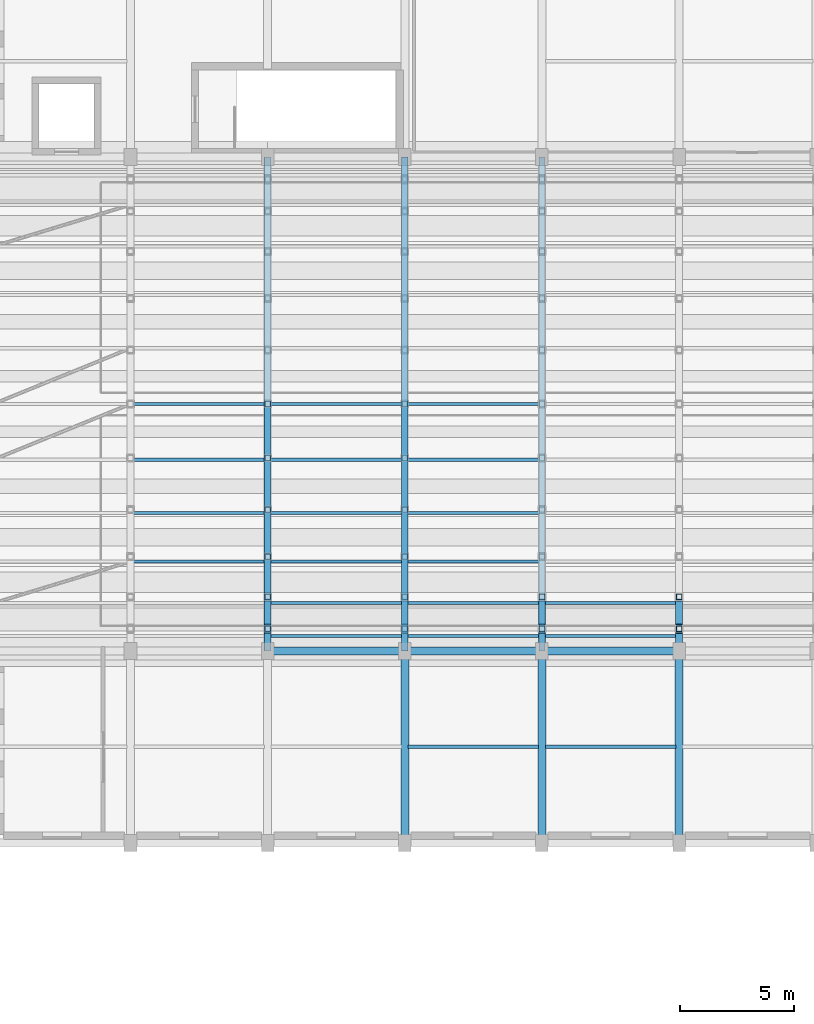
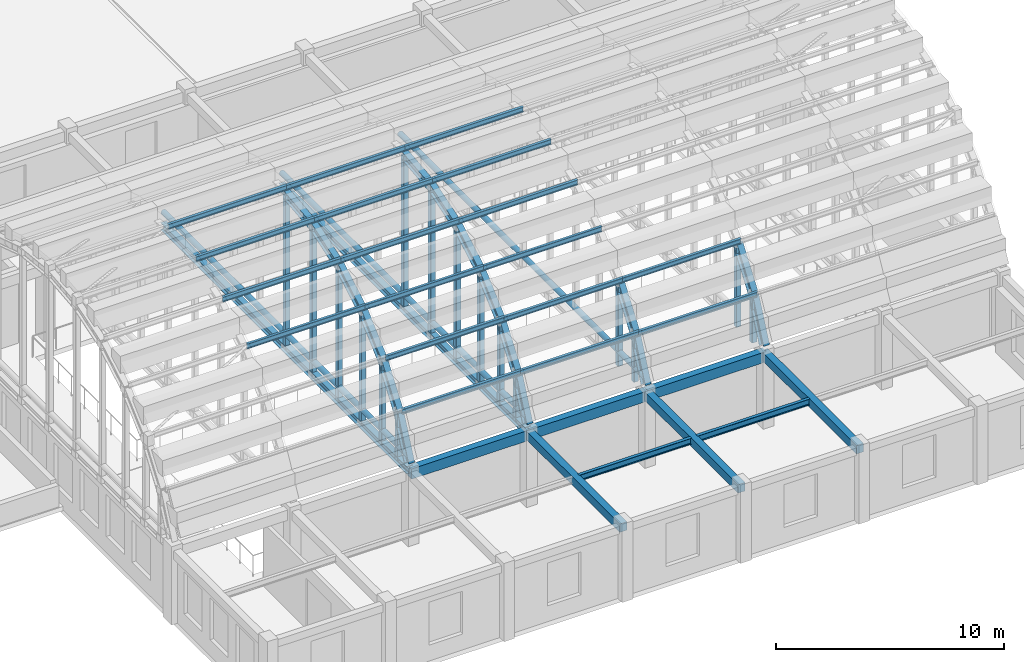
# One storey, part 7 of 46: 37 members, 26 beams.
"""IFC4 building model written with IfcOpenShell, lengths in metres."""

from ifc_helpers import new_model, si_unit, direction, frame, origin, origin_2d, place, context, subcontext, project, spatial, rectangle, hollow_rectangle, hollow_circle, i_section, extrude, material, material_profile, profile_set, type_object, element, save


model = new_model("IFC4")

# Units and contexts
model_context = context("Model", 3, precision=1e-05, world=origin(), true_north=direction((0.0, 1.0)))
body_context = subcontext(model_context, "Body", "Model", "MODEL_VIEW")
ifc_project = project(units=[si_unit("LENGTHUNIT", "METRE"), si_unit("AREAUNIT", "SQUARE_METRE"), si_unit("VOLUMEUNIT", "CUBIC_METRE"), si_unit("PLANEANGLEUNIT", "RADIAN"), si_unit("MASSUNIT", "GRAM", prefix="KILO")], contexts=[model_context])

# Site, building, storey
site_placement = place(None, origin())
site = spatial("IfcSite", under=ifc_project, at=site_placement, CompositionType="ELEMENT")
building_placement = place(site_placement, origin())
building = spatial("IfcBuilding", under=site, at=building_placement, Name="Tarnavel Promenade Courthouse", CompositionType="ELEMENT")
storey_placement = place(building_placement, frame((0.0, 0.0, 14.39990234375)))
storey = spatial("IfcBuildingStorey", under=building, at=storey_placement, Name="L04", CompositionType="ELEMENT", Elevation=14.39990234375)

# Beams
ifc_material_1 = material(Name="Concrete C40/50", Category="concrete")
ifc_material_profile_1 = material_profile(ifc_material_1, rectangle(XDim=0.35009765625, YDim=0.449951171875, at=origin_2d()), Name="RC 350x450")
ifc_profile_set_1 = profile_set([ifc_material_profile_1], Name="Concrete C40/50")
beam_type_1 = type_object("IfcBeamType", Name="Concrete C40/50 BM-RC-350x450 (RC 350x450)", PredefinedType="BEAM", material=ifc_profile_set_1)
for number, where, z_axis, x_axis, name in (
    (1, (138.0, 28.800048828125, 3.72998046875), (0.0, 1.0, 0.0), (-1.0, 0.0, 0.0), "L04 Transverse Girder 2123"),
    (2, (144.0, 28.800048828125, 3.72998046875), (0.0, 1.0, 0.0), (-1.0, 0.0, 0.0), "L04 Transverse Girder 2125"),
    (3, (150.0, 28.800048828125, 3.72998046875), (0.0, 1.0, 0.0), (-1.0, 0.0, 0.0), "L04 Transverse Girder 2127"),
):
    element("IfcBeam", number, at=place(storey_placement, frame(where, z_axis=z_axis, x_axis=x_axis)), inside=storey, type_object=beam_type_1, Name=name, PredefinedType="BEAM", context=body_context, shape_type="SweptSolid", body=[
        extrude(rectangle(XDim=0.35009765625, YDim=0.449951171875, at=origin_2d()), origin(), (0.0, 0.0, 1.0), 8.39990234375),
    ])
ifc_material_profile_2 = material_profile(ifc_material_1, rectangle(XDim=0.35009765625, YDim=0.550048828125, at=origin_2d()), Name="RC 350x550")
ifc_profile_set_2 = profile_set([ifc_material_profile_2], Name="Concrete C40/50")
beam_type_2 = type_object("IfcBeamType", Name="Concrete C40/50 BM-RC-350x550 (RC 350x550)", PredefinedType="BEAM", material=ifc_profile_set_2)
for number, where, z_axis, x_axis, name in (
    (4, (132.0, 37.199951171875, 3.68017578125), (1.0, 0.0, 0.0), (0.0, 1.0, 0.0), "L04 Primary Longitudinal Beam 1993"),
    (5, (138.0, 37.199951171875, 3.68017578125), (1.0, 0.0, 0.0), (0.0, 1.0, 0.0), "L04 Primary Longitudinal Beam 1994"),
    (6, (144.0, 37.199951171875, 3.68017578125), (1.0, 0.0, 0.0), (0.0, 1.0, 0.0), "L04 Primary Longitudinal Beam 1995"),
):
    element("IfcBeam", number, at=place(storey_placement, frame(where, z_axis=z_axis, x_axis=x_axis)), inside=storey, type_object=beam_type_2, Name=name, PredefinedType="BEAM", context=body_context, shape_type="SweptSolid", body=[
        extrude(rectangle(XDim=0.35009765625, YDim=0.550048828125, at=origin_2d()), origin(), (0.0, 0.0, 1.0), 6.0),
    ])
ifc_material_2 = material(Name="Steel S355J2", Category="steel")
ifc_material_profile_3 = material_profile(ifc_material_2, i_section(OverallWidth=0.300048828125, OverallDepth=0.449951171875, WebThickness=0.013916015625, FlangeThickness=0.02587890625, FilletRadius=0.027099609375, at=origin_2d()), Name="HEB 450")
ifc_profile_set_3 = profile_set([ifc_material_profile_3], Name="Steel S355J2")
beam_type_3 = type_object("IfcBeamType", Name="Steel S355J2 BM-AR-HEB450 (HEB 450)", PredefinedType="T_BEAM", material=ifc_profile_set_3)
for number, where, z_axis, x_axis, name in (
    (7, (132.0, 37.199951171875, 4.2001953125), (0.0, 0.406453266448, 0.91367157239), (-1.0, 0.0, 0.0), "V1 Barrel Vault Arch Rib 03 Chord 01"),
    (8, (132.0, 38.1650390625, 6.36962890625), (0.0, 0.587523453946, 0.809207137304), (-1.0, 0.0, 0.0), "V1 Barrel Vault Arch Rib 03 Chord 02"),
    (9, (132.0, 39.56005859375, 8.291015625), (0.0, 0.742956629711, 0.669339559842), (-1.0, 0.0, 0.0), "V1 Barrel Vault Arch Rib 03 Chord 03"),
    (10, (132.0, 41.32421875, 9.88037109375), (0.0, 0.86595611672, 0.500119989518), (-1.0, 0.0, 0.0), "V1 Barrel Vault Arch Rib 03 Chord 04"),
    (11, (132.0, 43.38037109375, 11.06787109375), (0.0, 0.951041624123, 0.309062824012), (-1.0, 0.0, 0.0), "V1 Barrel Vault Arch Rib 03 Chord 05"),
):
    element("IfcBeam", number, at=place(storey_placement, frame(where, z_axis=z_axis, x_axis=x_axis)), inside=storey, type_object=beam_type_3, Name=name, PredefinedType="T_BEAM", context=body_context, shape_type="SweptSolid", body=[
        extrude(i_section(OverallWidth=0.300048828125, OverallDepth=0.449951171875, WebThickness=0.013916015625, FlangeThickness=0.02587890625, FilletRadius=0.027099609375, at=origin_2d()), origin(), (0.0, 0.0, 1.0), 2.37451171875),
    ])
beam_1_placement = place(storey_placement, frame((132.0, 45.638671875, 11.8017578125), z_axis=(0.0, 0.994517278414, 0.104572381322), x_axis=(-1.0, 0.0, 0.0)))
element("IfcBeam", 12, at=beam_1_placement, inside=storey, type_object=beam_type_3, Name="V1 Barrel Vault Arch Rib 03 Chord 06", PredefinedType="T_BEAM", context=body_context, shape_type="SweptSolid", body=[
    extrude(i_section(OverallWidth=0.300048828125, OverallDepth=0.449951171875, WebThickness=0.013916015625, FlangeThickness=0.02587890625, FilletRadius=0.027099609375, at=origin_2d()), origin(), (0.0, 0.0, 1.0), 2.374267578125),
])
for number, where, z_axis, x_axis, name in (
    (13, (138.0, 37.199951171875, 4.2001953125), (0.0, 0.406453266448, 0.91367157239), (-1.0, 0.0, 0.0), "V1 Barrel Vault Arch Rib 04 Chord 01"),
    (14, (138.0, 38.1650390625, 6.36962890625), (0.0, 0.587523453946, 0.809207137304), (-1.0, 0.0, 0.0), "V1 Barrel Vault Arch Rib 04 Chord 02"),
    (15, (138.0, 39.56005859375, 8.291015625), (0.0, 0.742956629711, 0.669339559842), (-1.0, 0.0, 0.0), "V1 Barrel Vault Arch Rib 04 Chord 03"),
    (16, (138.0, 41.32421875, 9.88037109375), (0.0, 0.86595611672, 0.500119989518), (-1.0, 0.0, 0.0), "V1 Barrel Vault Arch Rib 04 Chord 04"),
    (17, (138.0, 43.38037109375, 11.06787109375), (0.0, 0.951041624123, 0.309062824012), (-1.0, 0.0, 0.0), "V1 Barrel Vault Arch Rib 04 Chord 05"),
):
    element("IfcBeam", number, at=place(storey_placement, frame(where, z_axis=z_axis, x_axis=x_axis)), inside=storey, type_object=beam_type_3, Name=name, PredefinedType="T_BEAM", context=body_context, shape_type="SweptSolid", body=[
        extrude(i_section(OverallWidth=0.300048828125, OverallDepth=0.449951171875, WebThickness=0.013916015625, FlangeThickness=0.02587890625, FilletRadius=0.027099609375, at=origin_2d()), origin(), (0.0, 0.0, 1.0), 2.37451171875),
    ])
beam_2_placement = place(storey_placement, frame((138.0, 45.638671875, 11.8017578125), z_axis=(0.0, 0.994517278414, 0.104572381322), x_axis=(-1.0, 0.0, 0.0)))
element("IfcBeam", 18, at=beam_2_placement, inside=storey, type_object=beam_type_3, Name="V1 Barrel Vault Arch Rib 04 Chord 06", PredefinedType="T_BEAM", context=body_context, shape_type="SweptSolid", body=[
    extrude(i_section(OverallWidth=0.300048828125, OverallDepth=0.449951171875, WebThickness=0.013916015625, FlangeThickness=0.02587890625, FilletRadius=0.027099609375, at=origin_2d()), origin(), (0.0, 0.0, 1.0), 2.374267578125),
])
for number, where, z_axis, x_axis, name in (
    (19, (144.0, 37.199951171875, 4.2001953125), (0.0, 0.406453266448, 0.91367157239), (-1.0, 0.0, 0.0), "V1 Barrel Vault Arch Rib 05 Chord 01"),
    (20, (144.0, 38.1650390625, 6.36962890625), (0.0, 0.587523453946, 0.809207137304), (-1.0, 0.0, 0.0), "V1 Barrel Vault Arch Rib 05 Chord 02"),
    (21, (150.0, 37.199951171875, 4.2001953125), (0.0, 0.406453266448, 0.91367157239), (-1.0, 0.0, 0.0), "V1 Barrel Vault Arch Rib 06 Chord 01"),
    (22, (150.0, 38.1650390625, 6.36962890625), (0.0, 0.587523453946, 0.809207137304), (-1.0, 0.0, 0.0), "V1 Barrel Vault Arch Rib 06 Chord 02"),
):
    element("IfcBeam", number, at=place(storey_placement, frame(where, z_axis=z_axis, x_axis=x_axis)), inside=storey, type_object=beam_type_3, Name=name, PredefinedType="T_BEAM", context=body_context, shape_type="SweptSolid", body=[
        extrude(i_section(OverallWidth=0.300048828125, OverallDepth=0.449951171875, WebThickness=0.013916015625, FlangeThickness=0.02587890625, FilletRadius=0.027099609375, at=origin_2d()), origin(), (0.0, 0.0, 1.0), 2.37451171875),
    ])
ifc_material_profile_4 = material_profile(ifc_material_2, i_section(OverallWidth=0.300048828125, OverallDepth=0.39990234375, WebThickness=0.013427734375, FlangeThickness=0.02392578125, FilletRadius=0.027099609375, at=origin_2d()), Name="HEB 400")
ifc_profile_set_4 = profile_set([ifc_material_profile_4], Name="Steel S355J2")
beam_type_4 = type_object("IfcBeamType", Name="Steel S355J2 BM-ST-HEB400 (HEB 400)", PredefinedType="T_BEAM", material=ifc_profile_set_4)
for number, where, z_axis, x_axis, name in (
    (23, (132.0, 37.199951171875, 3.820068359375), (0.0, 1.0, 0.0), (-1.0, 0.0, 0.0), "V1 Barrel Vault Tie Girder 03"),
    (24, (138.0, 37.199951171875, 3.820068359375), (0.0, 1.0, 0.0), (-1.0, 0.0, 0.0), "V1 Barrel Vault Tie Girder 04"),
):
    element("IfcBeam", number, at=place(storey_placement, frame(where, z_axis=z_axis, x_axis=x_axis)), inside=storey, type_object=beam_type_4, Name=name, PredefinedType="T_BEAM", context=body_context, shape_type="SweptSolid", body=[
        extrude(i_section(OverallWidth=0.300048828125, OverallDepth=0.39990234375, WebThickness=0.013427734375, FlangeThickness=0.02392578125, FilletRadius=0.027099609375, at=origin_2d()), origin(), (0.0, 0.0, 1.0), 21.60009765625),
    ])
ifc_material_profile_5 = material_profile(ifc_material_2, i_section(OverallWidth=0.159912109375, OverallDepth=0.330078125, WebThickness=0.007568359375, FlangeThickness=0.011474609375, FilletRadius=0.01806640625, at=origin_2d()), Name="IPE 330")
ifc_profile_set_5 = profile_set([ifc_material_profile_5], Name="Steel S355J2")
beam_type_5 = type_object("IfcBeamType", Name="Steel S355J2 BM-ST-IPE330 (IPE 330)", PredefinedType="JOIST", material=ifc_profile_set_5)
for number, where, z_axis, x_axis, name in (
    (25, (138.14501953125, 33.0, 3.7900390625), (1.0, 0.0, 0.0), (0.0, 1.0, 0.0), "L04 Secondary Floor Rib 2197"),
    (26, (144.14501953125, 33.0, 3.7900390625), (1.0, 0.0, 0.0), (0.0, 1.0, 0.0), "L04 Secondary Floor Rib 2198"),
):
    element("IfcBeam", number, at=place(storey_placement, frame(where, z_axis=z_axis, x_axis=x_axis)), inside=storey, type_object=beam_type_5, Name=name, PredefinedType="JOIST", context=body_context, shape_type="SweptSolid", body=[
        extrude(i_section(OverallWidth=0.159912109375, OverallDepth=0.330078125, WebThickness=0.007568359375, FlangeThickness=0.011474609375, FilletRadius=0.01806640625, at=origin_2d()), origin(), (0.0, 0.0, 1.0), 5.7099609375),
    ])

# Members
ifc_material_profile_6 = material_profile(ifc_material_2, i_section(OverallWidth=0.135009765625, OverallDepth=0.27001953125, WebThickness=0.006591796875, FlangeThickness=0.01025390625, FilletRadius=0.014892578125, at=origin_2d()), Name="IPE 270")
ifc_profile_set_6 = profile_set([ifc_material_profile_6], Name="Steel S355J2")
member_type_1 = type_object("IfcMemberType", Name="Steel S355J2 MEM-PUR-IPE270 (IPE 270)", PredefinedType="PURLIN", material=ifc_profile_set_6)
for number, where, z_axis, x_axis, name in (
    (27, (126.0, 41.106689453125, 10.179443359375), (1.0, 0.0, 0.0), (0.0, 1.0, 0.0), "V1 Barrel Vault Purlin 02-03"),
    (28, (126.0, 43.229736328125, 11.40576171875), (1.0, 0.0, 0.0), (0.0, 1.0, 0.0), "V1 Barrel Vault Purlin 02-04"),
    (29, (126.0, 45.5615234375, 12.163818359375), (1.0, 0.0, 0.0), (0.0, 1.0, 0.0), "V1 Barrel Vault Purlin 02-05"),
    (30, (126.0, 48.0, 12.420166015625), (1.0, 0.0, 0.0), (0.0, 1.0, 0.0), "V1 Barrel Vault Purlin 02-06"),
    (31, (132.0, 37.844482421875, 6.554443359375), (1.0, 0.0, 0.0), (0.0, 1.0, 0.0), "V1 Barrel Vault Purlin 03-01"),
    (32, (132.0, 39.284912109375, 8.53857421875), (1.0, 0.0, 0.0), (0.0, 1.0, 0.0), "V1 Barrel Vault Purlin 03-02"),
    (33, (132.0, 41.106689453125, 10.179443359375), (1.0, 0.0, 0.0), (0.0, 1.0, 0.0), "V1 Barrel Vault Purlin 03-03"),
    (34, (132.0, 43.229736328125, 11.40576171875), (1.0, 0.0, 0.0), (0.0, 1.0, 0.0), "V1 Barrel Vault Purlin 03-04"),
    (35, (132.0, 45.5615234375, 12.163818359375), (1.0, 0.0, 0.0), (0.0, 1.0, 0.0), "V1 Barrel Vault Purlin 03-05"),
    (36, (132.0, 48.0, 12.420166015625), (1.0, 0.0, 0.0), (0.0, 1.0, 0.0), "V1 Barrel Vault Purlin 03-06"),
    (37, (138.0, 37.844482421875, 6.554443359375), (1.0, 0.0, 0.0), (0.0, 1.0, 0.0), "V1 Barrel Vault Purlin 04-01"),
    (38, (138.0, 39.284912109375, 8.53857421875), (1.0, 0.0, 0.0), (0.0, 1.0, 0.0), "V1 Barrel Vault Purlin 04-02"),
    (39, (138.0, 41.106689453125, 10.179443359375), (1.0, 0.0, 0.0), (0.0, 1.0, 0.0), "V1 Barrel Vault Purlin 04-03"),
    (40, (138.0, 43.229736328125, 11.40576171875), (1.0, 0.0, 0.0), (0.0, 1.0, 0.0), "V1 Barrel Vault Purlin 04-04"),
    (41, (138.0, 45.5615234375, 12.163818359375), (1.0, 0.0, 0.0), (0.0, 1.0, 0.0), "V1 Barrel Vault Purlin 04-05"),
    (42, (138.0, 48.0, 12.420166015625), (1.0, 0.0, 0.0), (0.0, 1.0, 0.0), "V1 Barrel Vault Purlin 04-06"),
    (43, (144.0, 37.844482421875, 6.554443359375), (1.0, 0.0, 0.0), (0.0, 1.0, 0.0), "V1 Barrel Vault Purlin 05-01"),
    (44, (144.0, 39.284912109375, 8.53857421875), (1.0, 0.0, 0.0), (0.0, 1.0, 0.0), "V1 Barrel Vault Purlin 05-02"),
):
    element("IfcMember", number, at=place(storey_placement, frame(where, z_axis=z_axis, x_axis=x_axis)), inside=storey, type_object=member_type_1, Name=name, PredefinedType="PURLIN", context=body_context, shape_type="SweptSolid", body=[
        extrude(i_section(OverallWidth=0.135009765625, OverallDepth=0.27001953125, WebThickness=0.006591796875, FlangeThickness=0.01025390625, FilletRadius=0.014892578125, at=origin_2d()), origin(), (0.0, 0.0, 1.0), 6.0),
    ])
ifc_material_profile_7 = material_profile(ifc_material_2, hollow_rectangle(XDim=0.25, YDim=0.25, WallThickness=0.012451171875, InnerFilletRadius=0.012451171875, OuterFilletRadius=0.02490234375, at=origin_2d()), Name="SHS 250x250x12.5")
ifc_profile_set_7 = profile_set([ifc_material_profile_7], Name="Steel S355J2")
member_type_2 = type_object("IfcMemberType", Name="Steel S355J2 MEM-STR-SHS250 (SHS 250x250x12.5)", PredefinedType="STRUT", material=ifc_profile_set_7)
member_1_placement = place(storey_placement, frame((132.0, 38.1650390625, 3.820068359375), z_axis=(0.0, 0.0, 1.0), x_axis=(1.0, 0.0, 0.0)))
element("IfcMember", 45, at=member_1_placement, inside=storey, type_object=member_type_2, Name="V1 Vault Arch Web Strut 03-01", PredefinedType="STRUT", context=body_context, shape_type="SweptSolid", body=[
    extrude(hollow_rectangle(XDim=0.25, YDim=0.25, WallThickness=0.012451171875, InnerFilletRadius=0.012451171875, OuterFilletRadius=0.02490234375, at=origin_2d()), origin(), (0.0, 0.0, 1.0), 2.549560546875),
])
member_2_placement = place(storey_placement, frame((132.0, 39.56005859375, 3.820068359375), z_axis=(0.0, 0.0, 1.0), x_axis=(1.0, 0.0, 0.0)))
element("IfcMember", 46, at=member_2_placement, inside=storey, type_object=member_type_2, Name="V1 Vault Arch Web Strut 03-02", PredefinedType="STRUT", context=body_context, shape_type="SweptSolid", body=[
    extrude(hollow_rectangle(XDim=0.25, YDim=0.25, WallThickness=0.012451171875, InnerFilletRadius=0.012451171875, OuterFilletRadius=0.02490234375, at=origin_2d()), origin(), (0.0, 0.0, 1.0), 4.470947265625),
])
member_3_placement = place(storey_placement, frame((132.0, 41.32421875, 3.820068359375), z_axis=(0.0, 0.0, 1.0), x_axis=(1.0, 0.0, 0.0)))
element("IfcMember", 47, at=member_3_placement, inside=storey, type_object=member_type_2, Name="V1 Vault Arch Web Strut 03-03", PredefinedType="STRUT", context=body_context, shape_type="SweptSolid", body=[
    extrude(hollow_rectangle(XDim=0.25, YDim=0.25, WallThickness=0.012451171875, InnerFilletRadius=0.012451171875, OuterFilletRadius=0.02490234375, at=origin_2d()), origin(), (0.0, 0.0, 1.0), 6.060302734375),
])
member_4_placement = place(storey_placement, frame((132.0, 43.38037109375, 3.820068359375), z_axis=(0.0, 0.0, 1.0), x_axis=(1.0, 0.0, 0.0)))
element("IfcMember", 48, at=member_4_placement, inside=storey, type_object=member_type_2, Name="V1 Vault Arch Web Strut 03-04", PredefinedType="STRUT", context=body_context, shape_type="SweptSolid", body=[
    extrude(hollow_rectangle(XDim=0.25, YDim=0.25, WallThickness=0.012451171875, InnerFilletRadius=0.012451171875, OuterFilletRadius=0.02490234375, at=origin_2d()), origin(), (0.0, 0.0, 1.0), 7.247802734375),
])
member_5_placement = place(storey_placement, frame((132.0, 45.638671875, 3.820068359375), z_axis=(0.0, 0.0, 1.0), x_axis=(1.0, 0.0, 0.0)))
element("IfcMember", 49, at=member_5_placement, inside=storey, type_object=member_type_2, Name="V1 Vault Arch Web Strut 03-05", PredefinedType="STRUT", context=body_context, shape_type="SweptSolid", body=[
    extrude(hollow_rectangle(XDim=0.25, YDim=0.25, WallThickness=0.012451171875, InnerFilletRadius=0.012451171875, OuterFilletRadius=0.02490234375, at=origin_2d()), origin(), (0.0, 0.0, 1.0), 7.981689453125),
])
member_6_placement = place(storey_placement, frame((132.0, 48.0, 3.820068359375), z_axis=(0.0, 0.0, 1.0), x_axis=(1.0, 0.0, 0.0)))
element("IfcMember", 50, at=member_6_placement, inside=storey, type_object=member_type_2, Name="V1 Vault Arch Web Strut 03-06", PredefinedType="STRUT", context=body_context, shape_type="SweptSolid", body=[
    extrude(hollow_rectangle(XDim=0.25, YDim=0.25, WallThickness=0.012451171875, InnerFilletRadius=0.012451171875, OuterFilletRadius=0.02490234375, at=origin_2d()), origin(), (0.0, 0.0, 1.0), 8.22998046875),
])
member_7_placement = place(storey_placement, frame((138.0, 38.1650390625, 3.820068359375), z_axis=(0.0, 0.0, 1.0), x_axis=(1.0, 0.0, 0.0)))
element("IfcMember", 51, at=member_7_placement, inside=storey, type_object=member_type_2, Name="V1 Vault Arch Web Strut 04-01", PredefinedType="STRUT", context=body_context, shape_type="SweptSolid", body=[
    extrude(hollow_rectangle(XDim=0.25, YDim=0.25, WallThickness=0.012451171875, InnerFilletRadius=0.012451171875, OuterFilletRadius=0.02490234375, at=origin_2d()), origin(), (0.0, 0.0, 1.0), 2.549560546875),
])
member_8_placement = place(storey_placement, frame((138.0, 39.56005859375, 3.820068359375), z_axis=(0.0, 0.0, 1.0), x_axis=(1.0, 0.0, 0.0)))
element("IfcMember", 52, at=member_8_placement, inside=storey, type_object=member_type_2, Name="V1 Vault Arch Web Strut 04-02", PredefinedType="STRUT", context=body_context, shape_type="SweptSolid", body=[
    extrude(hollow_rectangle(XDim=0.25, YDim=0.25, WallThickness=0.012451171875, InnerFilletRadius=0.012451171875, OuterFilletRadius=0.02490234375, at=origin_2d()), origin(), (0.0, 0.0, 1.0), 4.470947265625),
])
member_9_placement = place(storey_placement, frame((138.0, 41.32421875, 3.820068359375), z_axis=(0.0, 0.0, 1.0), x_axis=(1.0, 0.0, 0.0)))
element("IfcMember", 53, at=member_9_placement, inside=storey, type_object=member_type_2, Name="V1 Vault Arch Web Strut 04-03", PredefinedType="STRUT", context=body_context, shape_type="SweptSolid", body=[
    extrude(hollow_rectangle(XDim=0.25, YDim=0.25, WallThickness=0.012451171875, InnerFilletRadius=0.012451171875, OuterFilletRadius=0.02490234375, at=origin_2d()), origin(), (0.0, 0.0, 1.0), 6.060302734375),
])
member_10_placement = place(storey_placement, frame((138.0, 43.38037109375, 3.820068359375), z_axis=(0.0, 0.0, 1.0), x_axis=(1.0, 0.0, 0.0)))
element("IfcMember", 54, at=member_10_placement, inside=storey, type_object=member_type_2, Name="V1 Vault Arch Web Strut 04-04", PredefinedType="STRUT", context=body_context, shape_type="SweptSolid", body=[
    extrude(hollow_rectangle(XDim=0.25, YDim=0.25, WallThickness=0.012451171875, InnerFilletRadius=0.012451171875, OuterFilletRadius=0.02490234375, at=origin_2d()), origin(), (0.0, 0.0, 1.0), 7.247802734375),
])
member_11_placement = place(storey_placement, frame((138.0, 45.638671875, 3.820068359375), z_axis=(0.0, 0.0, 1.0), x_axis=(1.0, 0.0, 0.0)))
element("IfcMember", 55, at=member_11_placement, inside=storey, type_object=member_type_2, Name="V1 Vault Arch Web Strut 04-05", PredefinedType="STRUT", context=body_context, shape_type="SweptSolid", body=[
    extrude(hollow_rectangle(XDim=0.25, YDim=0.25, WallThickness=0.012451171875, InnerFilletRadius=0.012451171875, OuterFilletRadius=0.02490234375, at=origin_2d()), origin(), (0.0, 0.0, 1.0), 7.981689453125),
])
member_12_placement = place(storey_placement, frame((138.0, 48.0, 3.820068359375), z_axis=(0.0, 0.0, 1.0), x_axis=(1.0, 0.0, 0.0)))
element("IfcMember", 56, at=member_12_placement, inside=storey, type_object=member_type_2, Name="V1 Vault Arch Web Strut 04-06", PredefinedType="STRUT", context=body_context, shape_type="SweptSolid", body=[
    extrude(hollow_rectangle(XDim=0.25, YDim=0.25, WallThickness=0.012451171875, InnerFilletRadius=0.012451171875, OuterFilletRadius=0.02490234375, at=origin_2d()), origin(), (0.0, 0.0, 1.0), 8.22998046875),
])
member_13_placement = place(storey_placement, frame((144.0, 38.1650390625, 3.820068359375), z_axis=(0.0, 0.0, 1.0), x_axis=(1.0, 0.0, 0.0)))
element("IfcMember", 57, at=member_13_placement, inside=storey, type_object=member_type_2, Name="V1 Vault Arch Web Strut 05-01", PredefinedType="STRUT", context=body_context, shape_type="SweptSolid", body=[
    extrude(hollow_rectangle(XDim=0.25, YDim=0.25, WallThickness=0.012451171875, InnerFilletRadius=0.012451171875, OuterFilletRadius=0.02490234375, at=origin_2d()), origin(), (0.0, 0.0, 1.0), 2.549560546875),
])
member_14_placement = place(storey_placement, frame((144.0, 39.56005859375, 3.820068359375), z_axis=(0.0, 0.0, 1.0), x_axis=(1.0, 0.0, 0.0)))
element("IfcMember", 58, at=member_14_placement, inside=storey, type_object=member_type_2, Name="V1 Vault Arch Web Strut 05-02", PredefinedType="STRUT", context=body_context, shape_type="SweptSolid", body=[
    extrude(hollow_rectangle(XDim=0.25, YDim=0.25, WallThickness=0.012451171875, InnerFilletRadius=0.012451171875, OuterFilletRadius=0.02490234375, at=origin_2d()), origin(), (0.0, 0.0, 1.0), 4.470947265625),
])
member_15_placement = place(storey_placement, frame((150.0, 38.1650390625, 3.820068359375), z_axis=(0.0, 0.0, 1.0), x_axis=(1.0, 0.0, 0.0)))
element("IfcMember", 59, at=member_15_placement, inside=storey, type_object=member_type_2, Name="V1 Vault Arch Web Strut 06-01", PredefinedType="STRUT", context=body_context, shape_type="SweptSolid", body=[
    extrude(hollow_rectangle(XDim=0.25, YDim=0.25, WallThickness=0.012451171875, InnerFilletRadius=0.012451171875, OuterFilletRadius=0.02490234375, at=origin_2d()), origin(), (0.0, 0.0, 1.0), 2.549560546875),
])
member_16_placement = place(storey_placement, frame((150.0, 39.56005859375, 3.820068359375), z_axis=(0.0, 0.0, 1.0), x_axis=(1.0, 0.0, 0.0)))
element("IfcMember", 60, at=member_16_placement, inside=storey, type_object=member_type_2, Name="V1 Vault Arch Web Strut 06-02", PredefinedType="STRUT", context=body_context, shape_type="SweptSolid", body=[
    extrude(hollow_rectangle(XDim=0.25, YDim=0.25, WallThickness=0.012451171875, InnerFilletRadius=0.012451171875, OuterFilletRadius=0.02490234375, at=origin_2d()), origin(), (0.0, 0.0, 1.0), 4.470947265625),
])
ifc_material_profile_8 = material_profile(ifc_material_2, hollow_circle(Radius=0.136474609375, WallThickness=0.012451171875, at=origin_2d()), Name="CHS 273x12.5")
ifc_profile_set_8 = profile_set([ifc_material_profile_8], Name="Steel S355J2")
member_type_3 = type_object("IfcMemberType", Name="Steel S355J2 MEM-TIE-CHS273 (CHS 273x12.5)", PredefinedType="CHORD", material=ifc_profile_set_8)
for number, where, z_axis, x_axis, name in (
    (61, (132.0, 37.199951171875, 4.5400390625), (0.0, 1.0, 0.0), (-1.0, 0.0, 0.0), "V1 Barrel Vault Springline Tie Rod 03"),
    (62, (138.0, 37.199951171875, 4.5400390625), (0.0, 1.0, 0.0), (-1.0, 0.0, 0.0), "V1 Barrel Vault Springline Tie Rod 04"),
    (63, (144.0, 37.199951171875, 4.5400390625), (0.0, 1.0, 0.0), (-1.0, 0.0, 0.0), "V1 Barrel Vault Springline Tie Rod 05"),
):
    element("IfcMember", number, at=place(storey_placement, frame(where, z_axis=z_axis, x_axis=x_axis)), inside=storey, type_object=member_type_3, Name=name, PredefinedType="CHORD", context=body_context, shape_type="SweptSolid", body=[
        extrude(hollow_circle(Radius=0.136474609375, WallThickness=0.012451171875, at=origin_2d()), origin(), (0.0, 0.0, 1.0), 21.60009765625),
    ])

save(model, "model.ifc")
